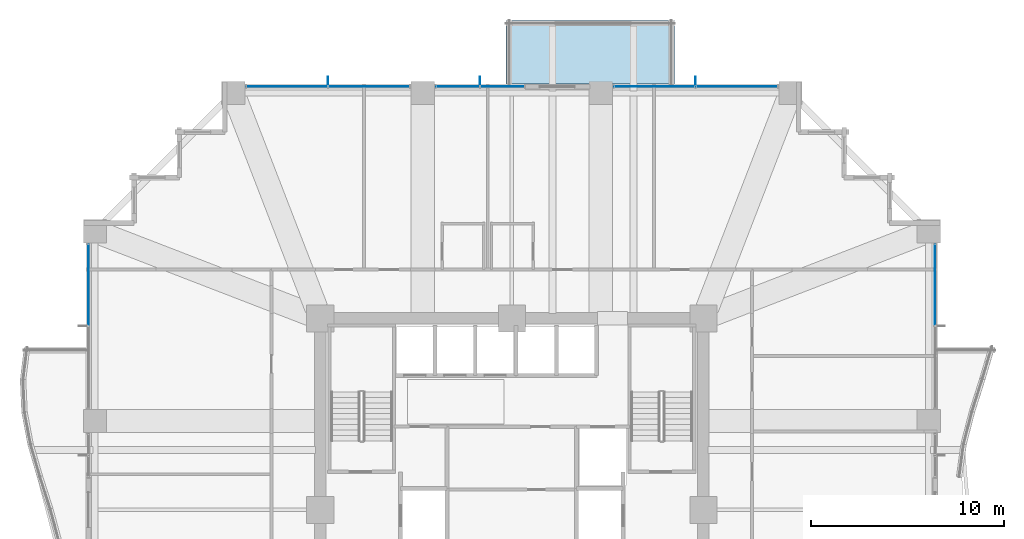
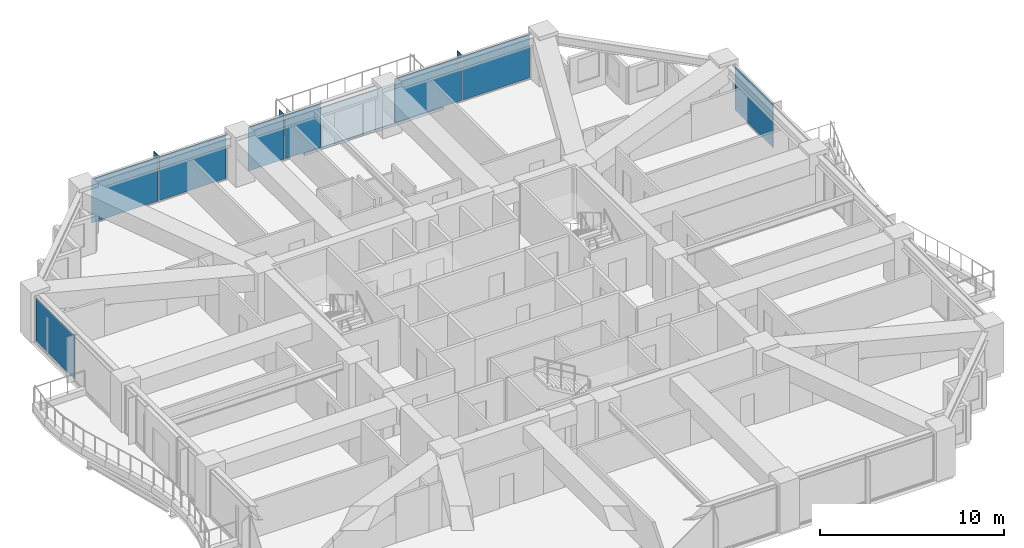
# One storey, part 31 of 39: 11 plates, 1 slab, 5 elements without a shape of their own.
"""IFC4 building model written with IfcOpenShell, lengths in metres."""

from ifc_helpers import new_model, si_unit, direction, frame, origin, origin_2d, place, context, subcontext, project, spatial, polyline, rectangle, outline, extrude, material, layer, layer_set, type_object, element, aggregate, save


model = new_model("IFC4")

# Units and contexts
model_context = context("Model", 3, precision=1e-05, world=origin(), true_north=direction((0.0, 1.0)))
body_context = subcontext(model_context, "Body", "Model", "MODEL_VIEW")
ifc_project = project(units=[si_unit("LENGTHUNIT", "METRE"), si_unit("AREAUNIT", "SQUARE_METRE"), si_unit("VOLUMEUNIT", "CUBIC_METRE"), si_unit("PLANEANGLEUNIT", "RADIAN"), si_unit("MASSUNIT", "GRAM", prefix="KILO")], contexts=[model_context])

# Site, building, storey
site_placement = place(None, origin())
site = spatial("IfcSite", under=ifc_project, at=site_placement, CompositionType="ELEMENT")
building_placement = place(site_placement, origin())
building = spatial("IfcBuilding", under=site, at=building_placement, Name="Kolvaren Belvedere", CompositionType="ELEMENT")
storey_placement = place(building_placement, frame((0.0, 0.0, 33.699951171875)))
storey = spatial("IfcBuildingStorey", under=building, at=storey_placement, Name="L09", CompositionType="ELEMENT", Elevation=33.699951171875)

# Curtain wall, plate
ifc_material_1 = material(Name="Anodised pale-metal aluminium AA 6063-T6", Category="aluminium")
curtain_wall_type = type_object("IfcCurtainWallType", Name="CW-Z1-LOW", PredefinedType="NOTDEFINED", material=ifc_material_1)
curtain_wall_1_placement = place(storey_placement, origin())
curtain_wall_1 = element("IfcCurtainWall", 1, at=curtain_wall_1_placement, inside=storey, type_object=curtain_wall_type, Name="L09 Unitised Curtain Wall FCW-L09-E1-B1", PredefinedType="NOTDEFINED")
ifc_material_2 = material(Name="Low-iron triple insulated glass", Category="glass")
ifc_layer_1 = layer(ifc_material_2, 0.028076171875)
ifc_layer_set_1 = layer_set([ifc_layer_1], Name="Low-iron triple insulated glass")
plate_type_1 = type_object("IfcPlateType", Name="CW-PNL-VIS28", PredefinedType="CURTAIN_PANEL", material=ifc_layer_set_1)
plate_1_placement = place(storey_placement, frame((21.8798828125, 11.62255859375, 0.080078125), z_axis=(0.0, 0.0, 1.0), x_axis=(0.0, -1.0, 0.0)))
plate_1 = element("IfcPlate", 2, at=plate_1_placement, type_object=plate_type_1, Name="FCW-L09-E1-B1 Vision Glazing Panel 1", PredefinedType="CURTAIN_PANEL", context=body_context, shape_type="SweptSolid", body=[
    extrude(rectangle(XDim=4.1650390625, YDim=0.028076171875, at=origin_2d()), origin(), (0.0, 0.0, 1.0), 2.89990234375),
])
aggregate(curtain_wall_1, [plate_1])

# Curtain wall, plates
curtain_wall_2_placement = place(storey_placement, origin())
curtain_wall_2 = element("IfcCurtainWall", 3, at=curtain_wall_2_placement, inside=storey, type_object=curtain_wall_type, Name="L09 Unitised Curtain Wall FCW-L09-N1-B1", PredefinedType="NOTDEFINED")
plate_2_placement = place(storey_placement, frame((-11.62255859375, 21.8798828125, 0.080078125), z_axis=(0.0, 0.0, 1.0), x_axis=(1.0, 0.0, 0.0)))
plate_2 = element("IfcPlate", 4, at=plate_2_placement, type_object=plate_type_1, Name="FCW-L09-N1-B1 Vision Glazing Panel 1", PredefinedType="CURTAIN_PANEL", context=body_context, shape_type="SweptSolid", body=[
    extrude(rectangle(XDim=4.1650390625, YDim=0.028076171875, at=origin_2d()), origin(), (0.0, 0.0, 1.0), 2.89990234375),
])
plate_3_placement = place(storey_placement, frame((-7.37744140625, 21.8798828125, 0.080078125), z_axis=(0.0, 0.0, 1.0), x_axis=(1.0, 0.0, 0.0)))
plate_3 = element("IfcPlate", 5, at=plate_3_placement, type_object=plate_type_1, Name="FCW-L09-N1-B1 Vision Glazing Panel 2", PredefinedType="CURTAIN_PANEL", context=body_context, shape_type="SweptSolid", body=[
    extrude(rectangle(XDim=4.1650390625, YDim=0.028076171875, at=origin_2d()), origin(), (0.0, 0.0, 1.0), 2.89990234375),
])
aggregate(curtain_wall_2, [plate_2, plate_3])

curtain_wall_3_placement = place(storey_placement, origin())
curtain_wall_3 = element("IfcCurtainWall", 6, at=curtain_wall_3_placement, inside=storey, type_object=curtain_wall_type, Name="L09 Unitised Curtain Wall FCW-L09-N1-B2", PredefinedType="NOTDEFINED")
plate_4_placement = place(storey_placement, frame((-2.791259765625, 21.8798828125, 0.080078125), z_axis=(0.0, 0.0, 1.0), x_axis=(1.0, 0.0, 0.0)))
plate_4 = element("IfcPlate", 7, at=plate_4_placement, type_object=plate_type_1, Name="FCW-L09-N1-B2 Vision Glazing Panel 1", PredefinedType="CURTAIN_PANEL", context=body_context, shape_type="SweptSolid", body=[
    extrude(rectangle(XDim=2.2275390625, YDim=0.028076171875, at=origin_2d()), origin(), (0.0, 0.0, 1.0), 2.89990234375),
])
plate_5_placement = place(storey_placement, frame((-0.483642578125, 21.8798828125, 0.080078125), z_axis=(0.0, 0.0, 1.0), x_axis=(1.0, 0.0, 0.0)))
plate_5 = element("IfcPlate", 8, at=plate_5_placement, type_object=plate_type_1, Name="FCW-L09-N1-B2 Vision Glazing Panel 2", PredefinedType="CURTAIN_PANEL", context=body_context, shape_type="SweptSolid", body=[
    extrude(rectangle(XDim=2.2275390625, YDim=0.028076171875, at=origin_2d()), origin(), (0.0, 0.0, 1.0), 2.89990234375),
])
aggregate(curtain_wall_3, [plate_4, plate_5])

curtain_wall_4_placement = place(storey_placement, origin())
curtain_wall_4 = element("IfcCurtainWall", 9, at=curtain_wall_4_placement, inside=storey, type_object=curtain_wall_type, Name="L09 Unitised Curtain Wall FCW-L09-N2", PredefinedType="NOTDEFINED")
plate_6_placement = place(storey_placement, frame((7.37744140625, 21.8798828125, 0.080078125), z_axis=(0.0, 0.0, 1.0), x_axis=(1.0, 0.0, 0.0)))
plate_6 = element("IfcPlate", 10, at=plate_6_placement, type_object=plate_type_1, Name="FCW-L09-N2 Vision Glazing Panel 1", PredefinedType="CURTAIN_PANEL", context=body_context, shape_type="SweptSolid", body=[
    extrude(rectangle(XDim=4.1650390625, YDim=0.028076171875, at=origin_2d()), origin(), (0.0, 0.0, 1.0), 2.89990234375),
])
plate_7_placement = place(storey_placement, frame((11.62255859375, 21.8798828125, 0.080078125), z_axis=(0.0, 0.0, 1.0), x_axis=(1.0, 0.0, 0.0)))
plate_7 = element("IfcPlate", 11, at=plate_7_placement, type_object=plate_type_1, Name="FCW-L09-N2 Vision Glazing Panel 2", PredefinedType="CURTAIN_PANEL", context=body_context, shape_type="SweptSolid", body=[
    extrude(rectangle(XDim=4.1650390625, YDim=0.028076171875, at=origin_2d()), origin(), (0.0, 0.0, 1.0), 2.89990234375),
])
aggregate(curtain_wall_4, [plate_6, plate_7])

# Curtain wall, plate
curtain_wall_5_placement = place(storey_placement, origin())
curtain_wall_5 = element("IfcCurtainWall", 12, at=curtain_wall_5_placement, inside=storey, type_object=curtain_wall_type, Name="L09 Unitised Curtain Wall FCW-L09-W2-B2", PredefinedType="NOTDEFINED")
plate_8_placement = place(storey_placement, frame((-21.8798828125, 11.62255859375, 0.080078125), z_axis=(0.0, 0.0, 1.0), x_axis=(0.0, 1.0, 0.0)))
plate_8 = element("IfcPlate", 13, at=plate_8_placement, type_object=plate_type_1, Name="FCW-L09-W2-B2 Vision Glazing Panel 2", PredefinedType="CURTAIN_PANEL", context=body_context, shape_type="SweptSolid", body=[
    extrude(rectangle(XDim=4.1650390625, YDim=0.028076171875, at=origin_2d()), origin(), (0.0, 0.0, 1.0), 2.89990234375),
])
aggregate(curtain_wall_5, [plate_8])

# Plates
ifc_material_3 = material(Name="Anodised pale-metal aluminium AA 6063-T6", Category="aluminium")
ifc_layer_2 = layer(ifc_material_3, 0.0380859375)
ifc_layer_set_2 = layer_set([ifc_layer_2], Name="Anodised pale-metal aluminium AA 6063-T6")
plate_type_2 = type_object("IfcPlateType", Name="FIN-VERT-450", PredefinedType="USERDEFINED", material=ifc_layer_set_2)
for number, where, z_axis, x_axis, name in (
    (14, (-9.5, 22.1650390625, 0.0), (0.0, 0.0, 1.0), (0.0, 1.0, 0.0), "L09 Pale-Metal Vertical Shading Fin FCW-L09-N1-B1-1"),
    (15, (-1.637451171875, 22.1650390625, 0.0), (0.0, 0.0, 1.0), (0.0, 1.0, 0.0), "L09 Pale-Metal Vertical Shading Fin FCW-L09-N1-B2-1"),
    (16, (9.5, 22.1650390625, 0.0), (0.0, 0.0, 1.0), (0.0, 1.0, 0.0), "L09 Pale-Metal Vertical Shading Fin FCW-L09-N2-1"),
):
    element("IfcPlate", number, at=place(storey_placement, frame(where, z_axis=z_axis, x_axis=x_axis)), inside=storey, type_object=plate_type_2, Name=name, ObjectType="VERTICAL FIN", PredefinedType="USERDEFINED", context=body_context, shape_type="SweptSolid", body=[
        extrude(rectangle(XDim=0.449951171875, YDim=0.0380859375, at=origin_2d()), origin(), (0.0, 0.0, 1.0), 3.06005859375),
    ])

# Slab
ifc_material_4 = material(Name="Concrete C50/60", Category="concrete")
ifc_layer_3 = layer(ifc_material_4, 0.179931640625)
ifc_layer_set_3 = layer_set([ifc_layer_3], Name="Concrete C50/60")
slab_type = type_object("IfcSlabType", Name="SL-BAL-180", PredefinedType="FLOOR", material=ifc_layer_set_3)
slab_placement = place(storey_placement, frame((0.0, 0.0, -0.239990234375)))
element("IfcSlab", 17, at=slab_placement, inside=storey, type_object=slab_type, Name="L09 Planted Sky Terrace SPIRAL-01-N", PredefinedType="FLOOR", context=body_context, shape_type="SweptSolid", body=[
    extrude(outline(polyline([(-0.300048828125, 22.0), (8.39990234375, 22.0), (8.39990234375, 25.300048828125), (-0.300048828125, 25.300048828125), (-0.300048828125, 22.0)])), origin(), (0.0, 0.0, 1.0), 0.179931640625),
])

save(model, "model.ifc")
